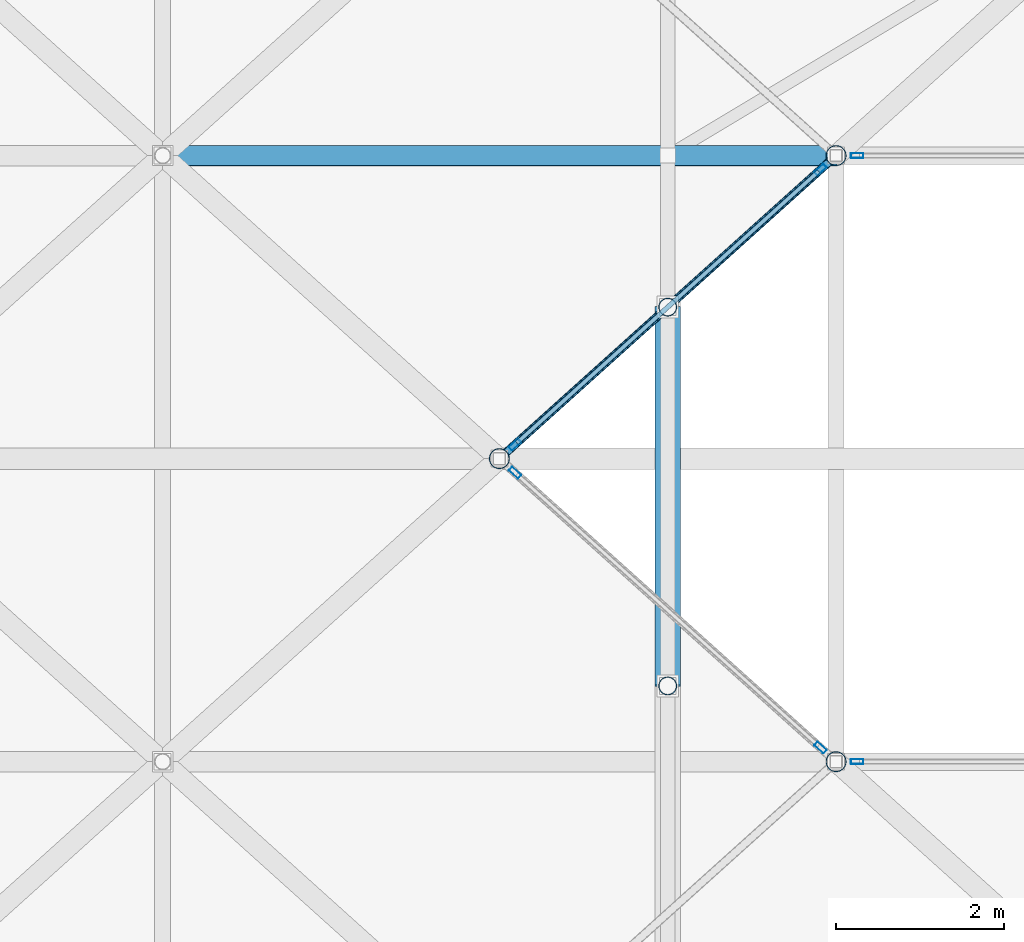
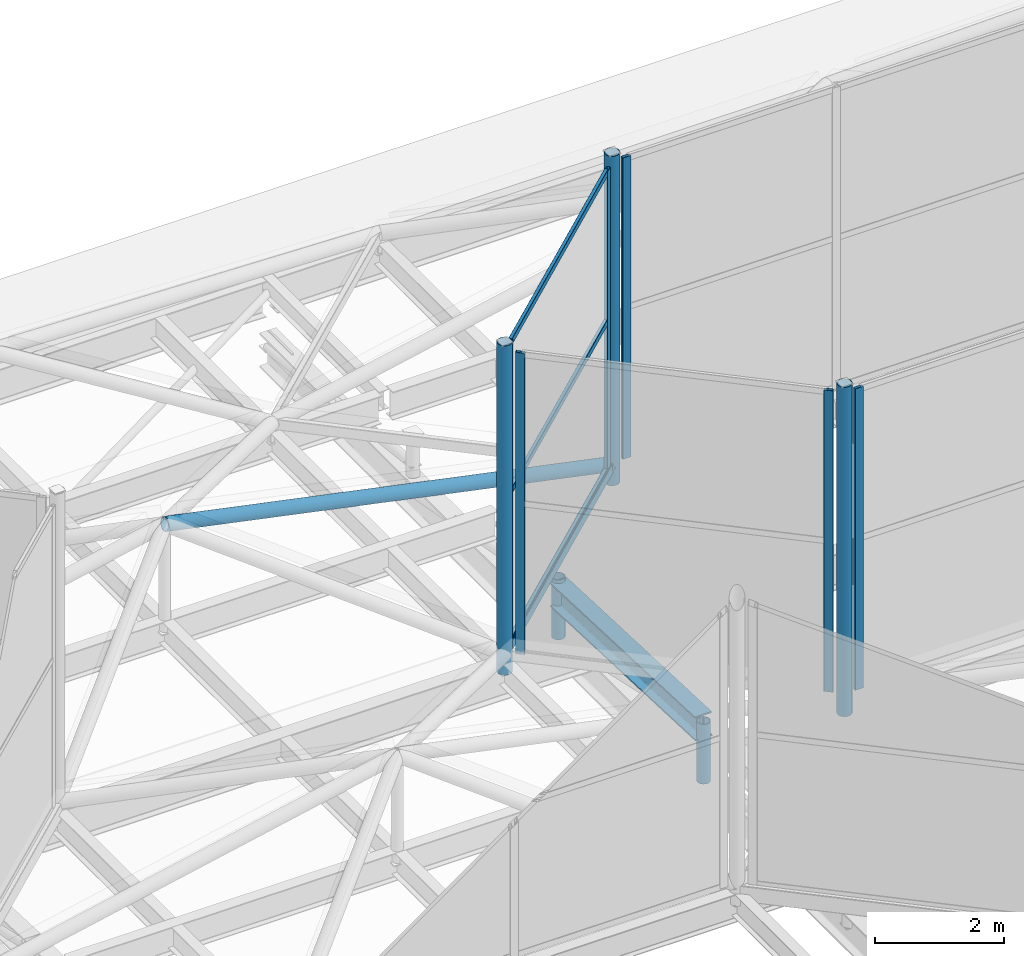
# One storey, part 106 of 239: 15 members, 2 beams, 4 elements without a shape of their own.
"""IFC4 building model written with IfcOpenShell, lengths in metres."""

import ifcopenshell
import ifcopenshell.guid

model = None  # the IFC model being written
_history = None  # IfcOwnerHistory: only IFC2X3 demands one
_inside = {}  # id of a spatial element -> (the spatial element, [elements in it])
_under = {}  # id of a project, library or spatial element -> (it, [spatial elements below it])
_declared = {}  # id of a project -> (the project, [libraries it declares])
_typed = {}  # id of a type object -> (the type object, [elements of that type])
_made_of = {}  # id of a material, layer set ... -> (it, [elements and type objects made of it])


def new_model(schema):
    """Start an empty IFC model of exactly this schema.

    Asked for "IFC4X3", IfcOpenShell would pick the latest addendum, in which some entities
    have other attributes; the version numbers below select the first issue.
    IFC2X3 requires an IfcOwnerHistory on every rooted entity: one is made here for all.
    """
    global model, _history
    if schema == "IFC4X3":
        model = ifcopenshell.file(schema_version=(4, 3, 0, 0))
    else:
        model = ifcopenshell.file(schema=schema)
    _inside.clear()
    _under.clear()
    _declared.clear()
    _typed.clear()
    _made_of.clear()
    _history = None
    if model.schema == "IFC2X3":
        org = make("IfcOrganization", Name="unknown")
        user = make(
            "IfcPersonAndOrganization",
            ThePerson=make("IfcPerson", FamilyName="unknown"),
            TheOrganization=org,
        )
        app = make(
            "IfcApplication",
            ApplicationDeveloper=org,
            Version="unknown",
            ApplicationFullName="unknown",
            ApplicationIdentifier="unknown",
        )
        _history = make(
            "IfcOwnerHistory",
            OwningUser=user,
            OwningApplication=app,
            ChangeAction="ADDED",
            CreationDate=0,
        )
    return model


def make(cls, **values):
    """One entity of the class cls with the attributes given. An attribute that is None is left unset."""
    return model.create_entity(
        cls, **{name: value for name, value in values.items() if value is not None}
    )


def rooted(cls, **values):
    """An entity with a GlobalId (a new one), such as an element, a storey or a relation."""
    return make(cls, GlobalId=ifcopenshell.guid.new(), OwnerHistory=_history, **values)


def si_unit(unit_type, name, prefix=None):
    """IfcSIUnit, for example si_unit("LENGTHUNIT", "METRE", prefix="MILLI")."""
    return make("IfcSIUnit", UnitType=unit_type, Prefix=prefix, Name=name)


def assignment(units):
    """IfcUnitAssignment: the units of a project."""
    return None if units is None else make("IfcUnitAssignment", Units=units)


def point(xyz):
    """IfcCartesianPoint."""
    return None if xyz is None else make("IfcCartesianPoint", Coordinates=xyz)


def direction(xyz):
    """IfcDirection."""
    return None if xyz is None else make("IfcDirection", DirectionRatios=xyz)


def frame(location, z_axis=None, x_axis=None):
    """IfcAxis2Placement3D, a coordinate frame: its origin and axes. An axis left out is left unset."""
    return make(
        "IfcAxis2Placement3D",
        Location=point(location),
        Axis=direction(z_axis),
        RefDirection=direction(x_axis),
    )


def frame_2d(location, x_axis=None):
    """IfcAxis2Placement2D, a coordinate frame in the plane: its origin and x axis."""
    return make(
        "IfcAxis2Placement2D", Location=point(location), RefDirection=direction(x_axis)
    )


def origin():
    """The frame at (0, 0, 0) with its axes left unset."""
    return frame((0.0, 0.0, 0.0))


def origin_2d():
    """The frame at (0, 0) in the plane with its x axis left unset."""
    return frame_2d((0.0, 0.0))


def place(relative_to, where):
    """IfcLocalPlacement: puts the frame where relative to a parent placement (None: the world)."""
    return make(
        "IfcLocalPlacement", PlacementRelTo=relative_to, RelativePlacement=where
    )


def context(
    kind, dimensions, precision=None, world=None, true_north=None, identifier=None
):
    """IfcGeometricRepresentationContext, for example the 3D "Model" context."""
    return make(
        "IfcGeometricRepresentationContext",
        ContextIdentifier=identifier,
        ContextType=kind,
        CoordinateSpaceDimension=dimensions,
        Precision=precision,
        WorldCoordinateSystem=world,
        TrueNorth=true_north,
    )


def subcontext(parent, identifier, kind, view, scale=None):
    """IfcGeometricRepresentationSubContext, for example "Body" below "Model"."""
    return make(
        "IfcGeometricRepresentationSubContext",
        ContextIdentifier=identifier,
        ContextType=kind,
        ParentContext=parent,
        TargetScale=scale,
        TargetView=view,
    )


def project(units=None, contexts=None):
    """IfcProject with its units and contexts."""
    return rooted(
        "IfcProject",
        Name="project",
        RepresentationContexts=contexts,
        UnitsInContext=assignment(units),
    )


def spatial(cls, under=None, at=None, **own):
    """A site, building, storey or space (cls), placed at a placement, below another one or the project."""
    s = rooted(cls, ObjectPlacement=at, **own)
    if under is not None:
        _under.setdefault(under.id(), (under, []))[1].append(s)
    return s


def profile(cls, at=None, kind="AREA", **sizes):
    """A parametric profile (cls). Its sizes go by their IFC names, for example OverallWidth=200.0."""
    return make(cls, ProfileType=kind, Position=at, **sizes)


def hollow_rectangle(**sizes):
    """IfcRectangleHollowProfileDef."""
    return profile("IfcRectangleHollowProfileDef", **sizes)


def hollow_circle(**sizes):
    """IfcCircleHollowProfileDef."""
    return profile("IfcCircleHollowProfileDef", **sizes)


def i_section(**sizes):
    """IfcIShapeProfileDef."""
    return profile("IfcIShapeProfileDef", **sizes)


def extrude(swept, where, along, depth):
    """IfcExtrudedAreaSolid: the profile swept, set in the frame where, extruded along a direction by depth."""
    return make(
        "IfcExtrudedAreaSolid",
        SweptArea=swept,
        Position=where,
        ExtrudedDirection=direction(along),
        Depth=depth,
    )


def shape(context_of_items, identifier, shape_type, items):
    """IfcShapeRepresentation: the items that make up one representation, for example the "Body"."""
    return make(
        "IfcShapeRepresentation",
        ContextOfItems=context_of_items,
        RepresentationIdentifier=identifier,
        RepresentationType=shape_type,
        Items=items,
    )


def material(Name=None, Category=None):
    """IfcMaterial."""
    return make("IfcMaterial", Name=Name, Category=Category)


def layer(
    of_material, thickness, ventilated=None, Name=None, Category=None, Priority=None
):
    """IfcMaterialLayer: one layer of a wall or slab, of a material (None: an air gap)."""
    return make(
        "IfcMaterialLayer",
        Material=of_material,
        LayerThickness=thickness,
        IsVentilated=ventilated,
        Name=Name,
        Category=Category,
        Priority=Priority,
    )


def layer_set(layers, Name=None):
    """IfcMaterialLayerSet."""
    return make("IfcMaterialLayerSet", MaterialLayers=layers, LayerSetName=Name)


def material_profile(
    of_material, cross_section, Name=None, Category=None, Priority=None
):
    """IfcMaterialProfile: a cross section and its material."""
    return make(
        "IfcMaterialProfile",
        Name=Name,
        Material=of_material,
        Profile=cross_section,
        Priority=Priority,
        Category=Category,
    )


def profile_set(profiles, Name=None, composite=None):
    """IfcMaterialProfileSet."""
    return make(
        "IfcMaterialProfileSet",
        Name=Name,
        MaterialProfiles=profiles,
        CompositeProfile=composite,
    )


def made_of(thing, what):
    """Note that an element or type object is made of a material, layer set ...; save() writes the relation."""
    if what is not None:
        _made_of.setdefault(what.id(), (what, []))[1].append(thing)
    return thing


def type_object(cls, material=None, **own):
    """A type object (cls), such as IfcWallType, which elements share."""
    return made_of(rooted(cls, **own), material)


def element(
    cls,
    number,
    at=None,
    inside=None,
    cuts=None,
    type_object=None,
    material=None,
    context=None,
    identifier="Body",
    shape_type=None,
    held_by="IfcProductDefinitionShape",
    body=None,
    shapes=None,
    **own,
):
    """One element of the class cls, such as IfcWall. Its Tag is "e" and its number.

    at: its placement. inside: the storey or other place that contains it. cuts: it is an
    opening in that element (IfcRelVoidsElement). A single representation is given by context,
    identifier, shape_type and body (its items); several are given by shapes. held_by: the class
    of the entity that holds the representations. save() writes the other relations.
    """
    e = rooted(cls, Tag="e%d" % number, ObjectPlacement=at, **own)
    if body is not None:
        shapes = [shape(context, identifier, shape_type, body)]
    if shapes is not None:
        e.Representation = make(held_by, Representations=shapes)
    if inside is not None:
        _inside.setdefault(inside.id(), (inside, []))[1].append(e)
    if cuts is not None:
        rooted(
            "IfcRelVoidsElement", RelatingBuildingElement=cuts, RelatedOpeningElement=e
        )
    if type_object is not None:
        _typed.setdefault(type_object.id(), (type_object, []))[1].append(e)
    return made_of(e, material)


def aggregate(whole, parts):
    """IfcRelAggregates: a whole, such as a stair, and the parts it consists of."""
    return rooted("IfcRelAggregates", RelatingObject=whole, RelatedObjects=parts)


def save(model, path):
    """Write the relations noted so far, then the file.

    IfcRelAggregates (storeys below a building ...), IfcRelContainedInSpatialStructure (elements
    in a storey), IfcRelDefinesByType, IfcRelAssociatesMaterial and IfcRelDeclares: one each for
    every whole, place, type object, material and project.
    """
    for whole, parts in _under.values():
        aggregate(whole, parts)
    for where, things in _inside.values():
        rooted(
            "IfcRelContainedInSpatialStructure",
            RelatedElements=things,
            RelatingStructure=where,
        )
    for kind, things in _typed.values():
        rooted("IfcRelDefinesByType", RelatedObjects=things, RelatingType=kind)
    for what, things in _made_of.values():
        rooted("IfcRelAssociatesMaterial", RelatedObjects=things, RelatingMaterial=what)
    for by, libraries in _declared.values():
        rooted("IfcRelDeclares", RelatingContext=by, RelatedDefinitions=libraries)
    model.write(path)


model = new_model("IFC4")

# Units and contexts
model_context = context("Model", 3, precision=1e-05, world=origin(), true_north=direction((0.0, 1.0)))
body_context = subcontext(model_context, "Body", "Model", "MODEL_VIEW")
ifc_project = project(units=[si_unit("LENGTHUNIT", "METRE"), si_unit("AREAUNIT", "SQUARE_METRE"), si_unit("VOLUMEUNIT", "CUBIC_METRE"), si_unit("PLANEANGLEUNIT", "RADIAN"), si_unit("MASSUNIT", "GRAM", prefix="KILO")], contexts=[model_context])

# Site, building, storey
site_placement = place(None, origin())
site = spatial("IfcSite", under=ifc_project, at=site_placement, CompositionType="ELEMENT")
building_placement = place(site_placement, origin())
building = spatial("IfcBuilding", under=site, at=building_placement, Name="Dunvalen Ferry Terminal", CompositionType="ELEMENT")
storey_placement = place(building_placement, frame((0.0, 0.0, 9.840087890625)))
storey = spatial("IfcBuildingStorey", under=building, at=storey_placement, Name="L02", CompositionType="ELEMENT", Elevation=9.840087890625)

# Curtain wall, members
ifc_material_1 = material(Name="Anodised marine aluminium and solar-control glazing", Category="aluminium")
ifc_layer_1 = layer(ifc_material_1, 0.179931640625, Name="Anodised marine aluminium and solar-control glazing")
ifc_layer_set_1 = layer_set([ifc_layer_1], Name="Anodised marine aluminium and solar-control glazing")
curtain_wall_type_1 = type_object("IfcCurtainWallType", Name="ENV-CW-SYS-05", PredefinedType="NOTDEFINED", material=ifc_layer_set_1)
curtain_wall_1_placement = place(storey_placement, origin())
curtain_wall_1 = element("IfcCurtainWall", 1, at=curtain_wall_1_placement, inside=storey, type_object=curtain_wall_type_1, Name="L02 Curtain Wall CW-HEX-32-SK-1", PredefinedType="NOTDEFINED")
ifc_material_2 = material(Name="Anodised marine aluminium EN AW-6063 T6", Category="aluminium")
ifc_material_profile_1 = material_profile(ifc_material_2, hollow_rectangle(XDim=0.06005859375, YDim=0.14990234375, WallThickness=0.00341796875, InnerFilletRadius=0.00341796875, OuterFilletRadius=0.007080078125, at=origin_2d()), Name="Anodised marine aluminium EN AW-6063 T6")
ifc_profile_set_1 = profile_set([ifc_material_profile_1], Name="Anodised marine aluminium EN AW-6063 T6")
member_type_1 = type_object("IfcMemberType", Name="ENV-CW-MUL-3", PredefinedType="MULLION", material=ifc_profile_set_1)
member_1_placement = place(storey_placement, frame((58.185791015625, 75.4326171875, 1.139892578125), z_axis=(0.0, 0.0, 1.0), x_axis=(0.668953550894, 0.74330420875, 0.0)))
member_1 = element("IfcMember", 2, at=member_1_placement, type_object=member_type_1, Name="CW-05 mullion 1", PredefinedType="MULLION", context=body_context, shape_type="SweptSolid", body=[
    extrude(hollow_rectangle(XDim=0.06005859375, YDim=0.14990234375, WallThickness=0.00341796875, InnerFilletRadius=0.00341796875, OuterFilletRadius=0.007080078125, at=origin_2d()), origin(), (0.0, 0.0, 1.0), 5.699951171875),
])
member_2_placement = place(storey_placement, frame((61.814208984375, 72.167236328125, 1.139892578125), z_axis=(0.0, 0.0, 1.0), x_axis=(0.668953550894, 0.74330420875, 0.0)))
member_2 = element("IfcMember", 3, at=member_2_placement, type_object=member_type_1, Name="CW-05 mullion 2", PredefinedType="MULLION", context=body_context, shape_type="SweptSolid", body=[
    extrude(hollow_rectangle(XDim=0.06005859375, YDim=0.14990234375, WallThickness=0.00341796875, InnerFilletRadius=0.00341796875, OuterFilletRadius=0.007080078125, at=origin_2d()), origin(), (0.0, 0.0, 1.0), 5.699951171875),
])
aggregate(curtain_wall_1, [member_1, member_2])

# Curtain wall, member
ifc_layer_2 = layer(ifc_material_1, 0.179931640625, Name="Anodised marine aluminium and solar-control glazing")
ifc_layer_set_2 = layer_set([ifc_layer_2], Name="Anodised marine aluminium and solar-control glazing")
curtain_wall_type_2 = type_object("IfcCurtainWallType", Name="ENV-CW-SYS-06", PredefinedType="NOTDEFINED", material=ifc_layer_set_2)
curtain_wall_2_placement = place(storey_placement, origin())
curtain_wall_2 = element("IfcCurtainWall", 4, at=curtain_wall_2_placement, inside=storey, type_object=curtain_wall_type_2, Name="L02 Curtain Wall CW-HEX-32-SK-2", PredefinedType="NOTDEFINED")
member_3_placement = place(storey_placement, frame((62.25, 72.0, 1.139892578125), z_axis=(0.0, 0.0, 1.0), x_axis=(0.0, 1.0, 0.0)))
member_3 = element("IfcMember", 5, at=member_3_placement, type_object=member_type_1, Name="CW-06 mullion 1", PredefinedType="MULLION", context=body_context, shape_type="SweptSolid", body=[
    extrude(hollow_rectangle(XDim=0.06005859375, YDim=0.14990234375, WallThickness=0.00341796875, InnerFilletRadius=0.00341796875, OuterFilletRadius=0.007080078125, at=origin_2d()), origin(), (0.0, 0.0, 1.0), 5.699951171875),
])
aggregate(curtain_wall_2, [member_3])

curtain_wall_3_placement = place(storey_placement, origin())
curtain_wall_3 = element("IfcCurtainWall", 6, at=curtain_wall_3_placement, inside=storey, type_object=curtain_wall_type_1, Name="L02 Curtain Wall CW-HEX-32-SK-5", PredefinedType="NOTDEFINED")
member_4_placement = place(storey_placement, frame((62.25, 79.199951171875, 1.139892578125), z_axis=(0.0, 0.0, 1.0), x_axis=(0.0, -1.0, 0.0)))
member_4 = element("IfcMember", 7, at=member_4_placement, type_object=member_type_1, Name="CW-05 mullion 3", PredefinedType="MULLION", context=body_context, shape_type="SweptSolid", body=[
    extrude(hollow_rectangle(XDim=0.06005859375, YDim=0.14990234375, WallThickness=0.00341796875, InnerFilletRadius=0.00341796875, OuterFilletRadius=0.007080078125, at=origin_2d()), origin(), (0.0, 0.0, 1.0), 5.699951171875),
])
aggregate(curtain_wall_3, [member_4])

# Curtain wall, members
curtain_wall_4_placement = place(storey_placement, origin())
curtain_wall_4 = element("IfcCurtainWall", 8, at=curtain_wall_4_placement, inside=storey, type_object=curtain_wall_type_2, Name="L02 Curtain Wall CW-HEX-32-SK-6", PredefinedType="NOTDEFINED")
member_5_placement = place(storey_placement, frame((61.814208984375, 79.03271484375, 1.139892578125), z_axis=(0.0, 0.0, 1.0), x_axis=(0.668953550894, -0.74330420875, 0.0)))
member_5 = element("IfcMember", 9, at=member_5_placement, type_object=member_type_1, Name="CW-06 mullion 1", PredefinedType="MULLION", context=body_context, shape_type="SweptSolid", body=[
    extrude(hollow_rectangle(XDim=0.06005859375, YDim=0.14990234375, WallThickness=0.00341796875, InnerFilletRadius=0.00341796875, OuterFilletRadius=0.007080078125, at=origin_2d()), origin(), (0.0, 0.0, 1.0), 5.699951171875),
])
member_6_placement = place(storey_placement, frame((58.185791015625, 75.767333984375, 1.139892578125), z_axis=(0.0, 0.0, 1.0), x_axis=(0.668953550894, -0.74330420875, 0.0)))
member_6 = element("IfcMember", 10, at=member_6_placement, type_object=member_type_1, Name="CW-06 mullion 2", PredefinedType="MULLION", context=body_context, shape_type="SweptSolid", body=[
    extrude(hollow_rectangle(XDim=0.06005859375, YDim=0.14990234375, WallThickness=0.00341796875, InnerFilletRadius=0.00341796875, OuterFilletRadius=0.007080078125, at=origin_2d()), origin(), (0.0, 0.0, 1.0), 5.699951171875),
])
ifc_material_profile_2 = material_profile(ifc_material_2, hollow_rectangle(XDim=0.06005859375, YDim=0.114990234375, WallThickness=0.0029296875, InnerFilletRadius=0.0029296875, OuterFilletRadius=0.006103515625, at=origin_2d()), Name="Anodised marine aluminium EN AW-6063 T6")
ifc_profile_set_2 = profile_set([ifc_material_profile_2], Name="Anodised marine aluminium EN AW-6063 T6")
member_type_2 = type_object("IfcMemberType", Name="ENV-CW-TRN-3", PredefinedType="USERDEFINED", material=ifc_profile_set_2)
member_7_placement = place(storey_placement, frame((61.7919921875, 79.0126953125, 1.169921875), z_axis=(-0.743319323261, -0.668936756104, 0.0), x_axis=(0.668936756104, -0.743319323261, 0.0)))
member_7 = element("IfcMember", 11, at=member_7_placement, type_object=member_type_2, Name="CW-06 transom 1.1", ObjectType="TRANSOM", PredefinedType="USERDEFINED", context=body_context, shape_type="SweptSolid", body=[
    extrude(hollow_rectangle(XDim=0.06005859375, YDim=0.114990234375, WallThickness=0.0029296875, InnerFilletRadius=0.0029296875, OuterFilletRadius=0.006103515625, at=origin_2d()), origin(), (0.0, 0.0, 1.0), 4.821533203125),
])
member_8_placement = place(storey_placement, frame((61.7919921875, 79.0126953125, 3.989990234375), z_axis=(-0.743319323261, -0.668936756104, 0.0), x_axis=(0.668936756104, -0.743319323261, 0.0)))
member_8 = element("IfcMember", 12, at=member_8_placement, type_object=member_type_2, Name="CW-06 transom 1.2", ObjectType="TRANSOM", PredefinedType="USERDEFINED", context=body_context, shape_type="SweptSolid", body=[
    extrude(hollow_rectangle(XDim=0.06005859375, YDim=0.114990234375, WallThickness=0.0029296875, InnerFilletRadius=0.0029296875, OuterFilletRadius=0.006103515625, at=origin_2d()), origin(), (0.0, 0.0, 1.0), 4.821533203125),
])
member_9_placement = place(storey_placement, frame((61.7919921875, 79.0126953125, 6.809814453125), z_axis=(-0.743319323261, -0.668936756104, 0.0), x_axis=(0.668936756104, -0.743319323261, 0.0)))
member_9 = element("IfcMember", 13, at=member_9_placement, type_object=member_type_2, Name="CW-06 transom 1.3", ObjectType="TRANSOM", PredefinedType="USERDEFINED", context=body_context, shape_type="SweptSolid", body=[
    extrude(hollow_rectangle(XDim=0.06005859375, YDim=0.114990234375, WallThickness=0.0029296875, InnerFilletRadius=0.0029296875, OuterFilletRadius=0.006103515625, at=origin_2d()), origin(), (0.0, 0.0, 1.0), 4.821533203125),
])
aggregate(curtain_wall_4, [member_5, member_6, member_7, member_8, member_9])

# Beams
ifc_material_3 = material(Name="Steel S355", Category="steel")
ifc_material_profile_3 = material_profile(ifc_material_3, i_section(OverallWidth=0.300048828125, OverallDepth=0.449951171875, WebThickness=0.013916015625, FlangeThickness=0.02587890625, FilletRadius=0.027099609375, at=origin_2d()), Name="Steel S355")
ifc_profile_set_3 = profile_set([ifc_material_profile_3], Name="Steel S355")
beam_type_1 = type_object("IfcBeamType", Name="STR-BM-HEB450", PredefinedType="BEAM", material=ifc_profile_set_3)
beam_1_placement = place(storey_placement, frame((60.0, 72.89990234375, 0.65869140625), z_axis=(0.0, 0.999166564808, -0.040818816368), x_axis=(-1.0, 0.0, 0.0)))
element("IfcBeam", 14, at=beam_1_placement, inside=storey, type_object=beam_type_1, Name="Departure Hall Tied-Arch Rib 05.6", PredefinedType="BEAM", context=body_context, shape_type="SweptSolid", body=[
    extrude(i_section(OverallWidth=0.300048828125, OverallDepth=0.449951171875, WebThickness=0.013916015625, FlangeThickness=0.02587890625, FilletRadius=0.027099609375, at=origin_2d()), origin(), (0.0, 0.0, 1.0), 4.503662109375),
])
ifc_material_profile_4 = material_profile(ifc_material_3, hollow_rectangle(XDim=0.10009765625, YDim=0.199951171875, WallThickness=0.008056640625, InnerFilletRadius=0.008056640625, OuterFilletRadius=0.01611328125, at=origin_2d()), Name="Steel S355")
ifc_profile_set_4 = profile_set([ifc_material_profile_4], Name="Steel S355")
beam_type_2 = type_object("IfcBeamType", Name="STR-BM-RHS200", PredefinedType="BEAM", material=ifc_profile_set_4)
beam_2_placement = place(storey_placement, frame((58.0, 75.60009765625, 1.099853515625), z_axis=(0.74330768127, 0.668949692402, 0.0), x_axis=(-0.668949692402, 0.74330768127, 0.0)))
element("IfcBeam", 15, at=beam_2_placement, inside=storey, type_object=beam_type_2, Name="HEX-27 Hexagonal Rim Beam 3", PredefinedType="BEAM", context=body_context, shape_type="SweptSolid", body=[
    extrude(hollow_rectangle(XDim=0.10009765625, YDim=0.199951171875, WallThickness=0.008056640625, InnerFilletRadius=0.008056640625, OuterFilletRadius=0.01611328125, at=origin_2d()), origin(), (0.0, 0.0, 1.0), 5.38134765625),
])

# Members
ifc_material_profile_5 = material_profile(ifc_material_3, hollow_circle(Radius=0.109619140625, WallThickness=0.010009765625, at=origin_2d()), Name="Steel S355")
ifc_profile_set_5 = profile_set([ifc_material_profile_5], Name="Steel S355")
member_type_3 = type_object("IfcMemberType", Name="STR-MB-CHS219", PredefinedType="STRUT", material=ifc_profile_set_5)
for number, where, z_axis, x_axis, name in (
    (16, (60.0, 72.89990234375, -0.360107421875), (0.0, 0.0, 1.0), (1.0, 0.0, 0.0), "Departure Hall Arch Spandrel Strut 05.5"),
    (17, (60.0, 77.39990234375, -0.360107421875), (0.0, 0.0, 1.0), (1.0, 0.0, 0.0), "Departure Hall Arch Spandrel Strut 05.6"),
):
    element("IfcMember", number, at=place(storey_placement, frame(where, z_axis=z_axis, x_axis=x_axis)), inside=storey, type_object=member_type_3, Name=name, PredefinedType="STRUT", context=body_context, shape_type="SweptSolid", body=[
        extrude(hollow_circle(Radius=0.109619140625, WallThickness=0.010009765625, at=origin_2d()), origin(), (0.0, 0.0, 1.0), 1.130126953125),
    ])
ifc_material_profile_6 = material_profile(ifc_material_3, hollow_circle(Radius=0.122314453125, WallThickness=0.010009765625, at=origin_2d()), Name="Steel S355")
ifc_profile_set_6 = profile_set([ifc_material_profile_6], Name="Steel S355")
member_type_4 = type_object("IfcMemberType", Name="STR-MB-CHS244", PredefinedType="STRUT", material=ifc_profile_set_6)
member_10_placement = place(storey_placement, frame((62.0, 79.199951171875, 1.099853515625), z_axis=(-0.979020171275, 0.0, 0.203763353518), x_axis=(0.0, -1.0, 0.0)))
element("IfcMember", 18, at=member_10_placement, inside=storey, type_object=member_type_4, Name="HEX-27 Pyramid Hip Rafter 4", PredefinedType="STRUT", context=body_context, shape_type="SweptSolid", body=[
    extrude(hollow_circle(Radius=0.122314453125, WallThickness=0.010009765625, at=origin_2d()), origin(), (0.0, 0.0, 1.0), 8.17138671875),
])
for number, where, z_axis, x_axis, name in (
    (19, (58.0, 75.60009765625, 0.77001953125), (0.0, 0.0, 1.0), (1.0, 0.0, 0.0), "HEX-32 Skylight Lantern Corner Strut 1"),
    (20, (62.0, 72.0, 0.77001953125), (0.0, 0.0, 1.0), (1.0, 0.0, 0.0), "HEX-32 Skylight Lantern Corner Strut 2"),
    (21, (62.0, 79.199951171875, 0.77001953125), (0.0, 0.0, 1.0), (1.0, 0.0, 0.0), "HEX-32 Skylight Lantern Corner Strut 6"),
):
    element("IfcMember", number, at=place(storey_placement, frame(where, z_axis=z_axis, x_axis=x_axis)), inside=storey, type_object=member_type_4, Name=name, PredefinedType="STRUT", context=body_context, shape_type="SweptSolid", body=[
        extrude(hollow_circle(Radius=0.122314453125, WallThickness=0.010009765625, at=origin_2d()), origin(), (0.0, 0.0, 1.0), 6.22998046875),
    ])

save(model, "model.ifc")
